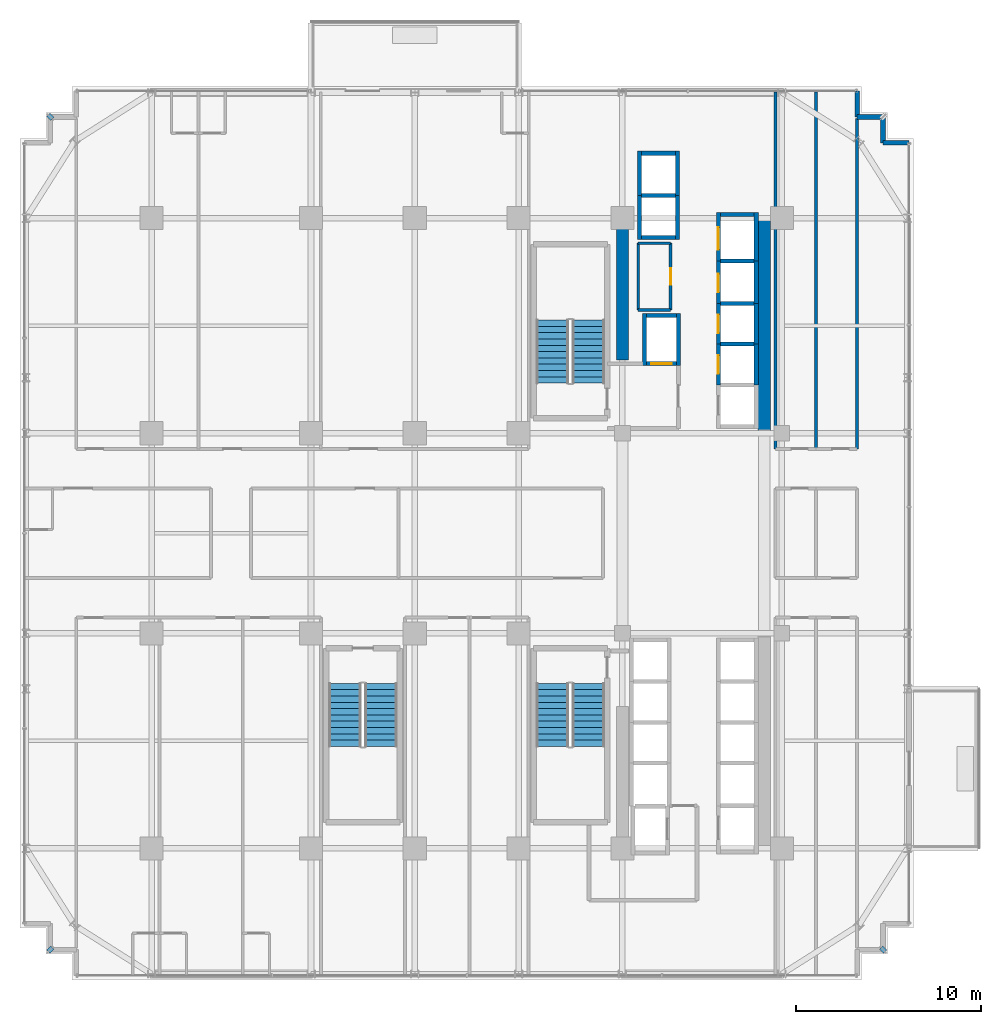
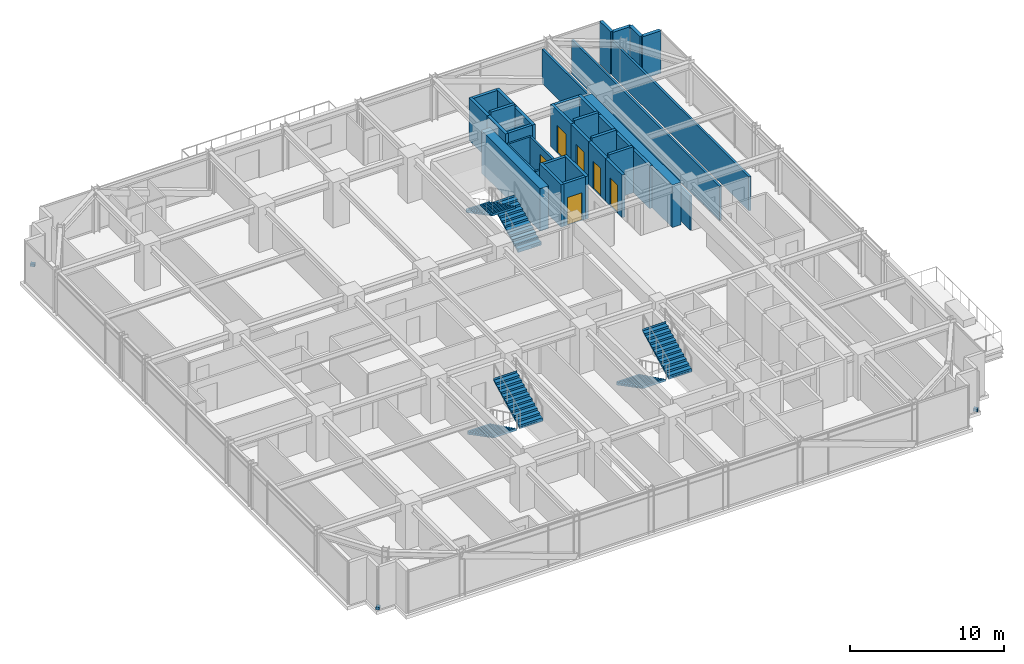
# One storey, part 36 of 41: 36 walls, 6 doors, 6 stair flights, 3 discrete accessories, 6 openings, 3 elements without a shape of their own.
"""IFC4 building model written with IfcOpenShell, lengths in metres."""

from ifc_helpers import new_model, si_unit, direction, frame, frame_2d, origin, origin_2d, place, context, subcontext, project, spatial, polyline, rectangle, outline, extrude, source, transform, mapped, material, layer, layer_set, type_object, element, fill, aggregate, save


model = new_model("IFC4")

# Units and contexts
model_context = context("Model", 3, precision=1e-05, world=origin(), true_north=direction((0.0, 1.0)))
body_context = subcontext(model_context, "Body", "Model", "MODEL_VIEW")
ifc_project = project(units=[si_unit("LENGTHUNIT", "METRE"), si_unit("AREAUNIT", "SQUARE_METRE"), si_unit("VOLUMEUNIT", "CUBIC_METRE"), si_unit("PLANEANGLEUNIT", "RADIAN"), si_unit("MASSUNIT", "GRAM", prefix="KILO")], contexts=[model_context])

# Site, building, storey
site_placement = place(None, origin())
site = spatial("IfcSite", under=ifc_project, at=site_placement, CompositionType="ELEMENT")
building_placement = place(site_placement, origin())
building = spatial("IfcBuilding", under=site, at=building_placement, Name="Nahalor Promenade Grand Hotel", CompositionType="ELEMENT")
storey_placement = place(building_placement, frame((0.0, 0.0, 113.85009765625)))
storey = spatial("IfcBuildingStorey", under=building, at=storey_placement, Name="L28", CompositionType="ELEMENT", Elevation=113.85009765625)

# Walls
ifc_material_1 = material(Name="Concrete B-60 (C50/60)", Category="concrete")
ifc_layer_1 = layer(ifc_material_1, 0.64990234375)
ifc_layer_set_1 = layer_set([ifc_layer_1], Name="Concrete B-60 (C50/60)")
wall_type_1 = type_object("IfcWallType", Name="Wall-CoreShear-650", PredefinedType="SHEAR", material=ifc_layer_set_1)
shared_shape_1 = source(origin(), body_context, "Body", "SweptSolid", [
    extrude(rectangle(XDim=7.64990234375, YDim=0.64990234375, at=frame_2d((3.824951171875, 0.0))), origin(), (0.0, 0.0, 1.0), 3.3798828125),
])
wall_1_placement = place(storey_placement, frame((8.39990234375, 9.35009765625, 0.0), z_axis=(0.0, 0.0, 1.0), x_axis=(0.0, 1.0, 0.0)))
element("IfcWall", 1, at=wall_1_placement, inside=storey, type_object=wall_type_1, Name="CWALL-L28-NW", PredefinedType="SHEAR", context=body_context, shape_type="MappedRepresentation", body=[
    mapped(shared_shape_1, transform((0.0, 0.0, 0.0), scale=1.0)),
])
shared_shape_2 = source(origin(), body_context, "Body", "SweptSolid", [
    extrude(rectangle(XDim=11.60009765625, YDim=0.64990234375, at=frame_2d((5.800048828125, 0.0))), origin(), (0.0, 0.0, 1.0), 3.3798828125),
])
wall_2_placement = place(storey_placement, frame((16.050048828125, 5.39990234375, 0.0), z_axis=(0.0, 0.0, 1.0), x_axis=(0.0, 1.0, 0.0)))
element("IfcWall", 2, at=wall_2_placement, inside=storey, type_object=wall_type_1, Name="CWALL-L28-NE", PredefinedType="SHEAR", context=body_context, shape_type="MappedRepresentation", body=[
    mapped(shared_shape_2, transform((0.0, 0.0, 0.0), scale=1.0)),
])
ifc_material_2 = material(Name="Concrete B-50 (C40/50)", Category="concrete")
ifc_layer_2 = layer(ifc_material_2, 0.219970703125)
ifc_layer_set_2 = layer_set([ifc_layer_2], Name="Concrete B-50 (C40/50)")
wall_type_2 = type_object("IfcWallType", Name="Wall-LiftShaft-220", PredefinedType="SHEAR", material=ifc_layer_set_2)
shared_shape_3 = source(origin(), body_context, "Body", "SweptSolid", [
    extrude(rectangle(XDim=1.820068359375, YDim=0.219970703125, at=frame_2d((0.91015625, 0.0))), origin(), (0.0, 0.0, 1.0), 3.64990234375),
])
for number, where, z_axis, x_axis, name in (
    (3, (13.68994140625, 10.199951171875, 0.0), (0.0, 0.0, 1.0), (1.0, 0.0, 0.0), "L28 Lift PL2 Hoistway Wall N"),
    (4, (13.68994140625, 12.39990234375, 0.0), (0.0, 0.0, 1.0), (1.0, 0.0, 0.0), "L28 Lift PL3 Hoistway Wall N"),
    (5, (13.68994140625, 14.699951171875, 0.0), (0.0, 0.0, 1.0), (1.0, 0.0, 0.0), "L28 Lift PL4 Hoistway Wall N"),
    (6, (9.43994140625, 18.22509765625, 0.0), (0.0, 0.0, 1.0), (1.0, 0.0, 0.0), "L28 Lift OB1 Hoistway Wall N"),
):
    element("IfcWall", number, at=place(storey_placement, frame(where, z_axis=z_axis, x_axis=x_axis)), inside=storey, type_object=wall_type_2, Name=name, PredefinedType="SHEAR", context=body_context, shape_type="MappedRepresentation", body=[
        mapped(shared_shape_3, transform((0.0, 0.0, 0.0), scale=1.0)),
    ])
shared_shape_4 = source(origin(), body_context, "Body", "SweptSolid", [
    extrude(rectangle(XDim=1.820068359375, YDim=0.219970703125, at=frame_2d((0.91015625, 0.0))), origin(), (0.0, 0.0, 1.0), 3.3798828125),
])
for number, where, z_axis, x_axis, name in (
    (7, (9.43994140625, 15.949951171875, 0.0), (0.0, 0.0, 1.0), (1.0, 0.0, 0.0), "L28 Lift OB1 Hoistway Wall S"),
    (8, (9.43994140625, 20.5, 0.0), (0.0, 0.0, 1.0), (1.0, 0.0, 0.0), "L28 Lift OB2 Hoistway Wall N"),
    (9, (13.68994140625, 17.199951171875, 0.0), (0.0, 0.0, 1.0), (1.0, 0.0, 0.0), "L28 Lift SV1 Hoistway Wall N"),
):
    element("IfcWall", number, at=place(storey_placement, frame(where, z_axis=z_axis, x_axis=x_axis)), inside=storey, type_object=wall_type_2, Name=name, PredefinedType="SHEAR", context=body_context, shape_type="MappedRepresentation", body=[
        mapped(shared_shape_4, transform((0.0, 0.0, 0.0), scale=1.0)),
    ])

# Wall, opening, door
shared_shape_5 = source(origin(), body_context, "Body", "SweptSolid", [
    extrude(rectangle(XDim=2.199951171875, YDim=0.219970703125, at=frame_2d((1.10009765625, 0.0))), origin(), (0.0, 0.0, 1.0), 3.3798828125),
])
wall_3_placement = place(storey_placement, frame((13.580078125, 8.0, 0.0), z_axis=(0.0, 0.0, 1.0), x_axis=(0.0, 1.0, 0.0)))
wall_3 = element("IfcWall", 10, at=wall_3_placement, inside=storey, type_object=wall_type_2, Name="L28 Lift PL2 Hoistway Wall W", PredefinedType="SHEAR", context=body_context, shape_type="MappedRepresentation", body=[
    mapped(shared_shape_5, transform((0.0, 0.0, 0.0), scale=1.0)),
])
opening_1_placement = place(wall_3_placement, frame((0.60009765625, 0.0, 0.0)))
opening_1 = element("IfcOpeningElement", 11, at=opening_1_placement, cuts=wall_3, Name="Opening LD-01", PredefinedType="OPENING", context=body_context, shape_type="SweptSolid", body=[
    extrude(rectangle(XDim=1.0, YDim=2.199951171875, at=frame_2d((0.5, 1.10009765625))), frame((0.0, 0.119873046875, 0.0), z_axis=(0.0, -1.0, 0.0), x_axis=(1.0, 0.0, 0.0)), (0.0, 0.0, 1.0), 0.239990234375),
])
ifc_material_3 = material(Name="Steel S355JR", Category="steel")
door_type_1 = type_object("IfcDoorType", Name="Door-LiftLanding-1000", OperationType="DOUBLE_DOOR_SLIDING", PredefinedType="DOOR", material=ifc_material_3)
shared_shape_6 = source(origin(), body_context, "Body", "SweptSolid", [
    extrude(rectangle(XDim=1.0, YDim=2.199951171875, at=frame_2d((0.5, 1.10009765625))), frame((0.0, 0.02490234375, 0.0), z_axis=(0.0, -1.0, 0.0), x_axis=(1.0, 0.0, 0.0)), (0.0, 0.0, 1.0), 0.050048828125),
])
door_1_placement = place(opening_1_placement, origin())
door_1 = element("IfcDoor", 12, at=door_1_placement, inside=storey, type_object=door_type_1, Name="DR-LIFT-PL2-L28", OperationType="DOUBLE_DOOR_SLIDING", OverallHeight=2.199951171875, OverallWidth=1.0, PredefinedType="DOOR", context=body_context, shape_type="MappedRepresentation", body=[
    mapped(shared_shape_6, transform((0.0, 0.0, 0.0), scale=1.0)),
])
fill(opening_1, door_1)

# Wall
wall_4_placement = place(storey_placement, frame((15.6201171875, 8.0, 0.0), z_axis=(0.0, 0.0, 1.0), x_axis=(0.0, 1.0, 0.0)))
element("IfcWall", 13, at=wall_4_placement, inside=storey, type_object=wall_type_2, Name="L28 Lift PL2 Hoistway Wall E", PredefinedType="SHEAR", context=body_context, shape_type="MappedRepresentation", body=[
    mapped(shared_shape_5, transform((0.0, 0.0, 0.0), scale=1.0)),
])

# Wall, opening, door
wall_5_placement = place(storey_placement, frame((13.580078125, 10.199951171875, 0.0), z_axis=(0.0, 0.0, 1.0), x_axis=(0.0, 1.0, 0.0)))
wall_5 = element("IfcWall", 14, at=wall_5_placement, inside=storey, type_object=wall_type_2, Name="L28 Lift PL3 Hoistway Wall W", PredefinedType="SHEAR", context=body_context, shape_type="MappedRepresentation", body=[
    mapped(shared_shape_5, transform((0.0, 0.0, 0.0), scale=1.0)),
])
opening_2_placement = place(wall_5_placement, frame((0.60009765625, 0.0, 0.0)))
opening_2 = element("IfcOpeningElement", 15, at=opening_2_placement, cuts=wall_5, Name="Opening LD-01", PredefinedType="OPENING", context=body_context, shape_type="SweptSolid", body=[
    extrude(rectangle(XDim=1.0, YDim=2.199951171875, at=frame_2d((0.5, 1.10009765625))), frame((0.0, 0.119873046875, 0.0), z_axis=(0.0, -1.0, 0.0), x_axis=(1.0, 0.0, 0.0)), (0.0, 0.0, 1.0), 0.239990234375),
])
door_2_placement = place(opening_2_placement, origin())
door_2 = element("IfcDoor", 16, at=door_2_placement, inside=storey, type_object=door_type_1, Name="DR-LIFT-PL3-L28", OperationType="DOUBLE_DOOR_SLIDING", OverallHeight=2.199951171875, OverallWidth=1.0, PredefinedType="DOOR", context=body_context, shape_type="MappedRepresentation", body=[
    mapped(shared_shape_6, transform((0.0, 0.0, 0.0), scale=1.0)),
])
fill(opening_2, door_2)

# Wall
wall_6_placement = place(storey_placement, frame((15.6201171875, 10.199951171875, 0.0), z_axis=(0.0, 0.0, 1.0), x_axis=(0.0, 1.0, 0.0)))
element("IfcWall", 17, at=wall_6_placement, inside=storey, type_object=wall_type_2, Name="L28 Lift PL3 Hoistway Wall E", PredefinedType="SHEAR", context=body_context, shape_type="MappedRepresentation", body=[
    mapped(shared_shape_5, transform((0.0, 0.0, 0.0), scale=1.0)),
])

# Wall, opening, door
shared_shape_7 = source(origin(), body_context, "Body", "SweptSolid", [
    extrude(rectangle(XDim=2.300048828125, YDim=0.219970703125, at=frame_2d((1.14990234375, 0.0))), origin(), (0.0, 0.0, 1.0), 3.3798828125),
])
wall_7_placement = place(storey_placement, frame((13.580078125, 12.39990234375, 0.0), z_axis=(0.0, 0.0, 1.0), x_axis=(0.0, 1.0, 0.0)))
wall_7 = element("IfcWall", 18, at=wall_7_placement, inside=storey, type_object=wall_type_2, Name="L28 Lift PL4 Hoistway Wall W", PredefinedType="SHEAR", context=body_context, shape_type="MappedRepresentation", body=[
    mapped(shared_shape_7, transform((0.0, 0.0, 0.0), scale=1.0)),
])
opening_3_placement = place(wall_7_placement, frame((0.60009765625, 0.0, 0.0)))
opening_3 = element("IfcOpeningElement", 19, at=opening_3_placement, cuts=wall_7, Name="Opening LD-01", PredefinedType="OPENING", context=body_context, shape_type="SweptSolid", body=[
    extrude(rectangle(XDim=1.0, YDim=2.199951171875, at=frame_2d((0.5, 1.10009765625))), frame((0.0, 0.119873046875, 0.0), z_axis=(0.0, -1.0, 0.0), x_axis=(1.0, 0.0, 0.0)), (0.0, 0.0, 1.0), 0.239990234375),
])
door_3_placement = place(opening_3_placement, origin())
door_3 = element("IfcDoor", 20, at=door_3_placement, inside=storey, type_object=door_type_1, Name="DR-LIFT-PL4-L28", OperationType="DOUBLE_DOOR_SLIDING", OverallHeight=2.199951171875, OverallWidth=1.0, PredefinedType="DOOR", context=body_context, shape_type="MappedRepresentation", body=[
    mapped(shared_shape_6, transform((0.0, 0.0, 0.0), scale=1.0)),
])
fill(opening_3, door_3)

# Walls
wall_8_placement = place(storey_placement, frame((15.6201171875, 12.39990234375, 0.0), z_axis=(0.0, 0.0, 1.0), x_axis=(0.0, 1.0, 0.0)))
element("IfcWall", 21, at=wall_8_placement, inside=storey, type_object=wall_type_2, Name="L28 Lift PL4 Hoistway Wall E", PredefinedType="SHEAR", context=body_context, shape_type="MappedRepresentation", body=[
    mapped(shared_shape_7, transform((0.0, 0.0, 0.0), scale=1.0)),
])
shared_shape_8 = source(origin(), body_context, "Body", "SweptSolid", [
    extrude(rectangle(XDim=2.385009765625, YDim=0.219970703125, at=frame_2d((1.1923828125, 0.0))), origin(), (0.0, 0.0, 1.0), 3.3798828125),
])
for number, where, z_axis, x_axis, name in (
    (22, (9.330078125, 15.840087890625, 0.0), (0.0, 0.0, 1.0), (0.0, 1.0, 0.0), "L28 Lift OB1 Hoistway Wall W"),
    (23, (11.3701171875, 15.840087890625, 0.0), (0.0, 0.0, 1.0), (0.0, 1.0, 0.0), "L28 Lift OB1 Hoistway Wall E"),
    (24, (9.330078125, 18.22509765625, 0.0), (0.0, 0.0, 1.0), (0.0, 1.0, 0.0), "L28 Lift OB2 Hoistway Wall W"),
    (25, (11.3701171875, 18.22509765625, 0.0), (0.0, 0.0, 1.0), (0.0, 1.0, 0.0), "L28 Lift OB2 Hoistway Wall E"),
):
    element("IfcWall", number, at=place(storey_placement, frame(where, z_axis=z_axis, x_axis=x_axis)), inside=storey, type_object=wall_type_2, Name=name, PredefinedType="SHEAR", context=body_context, shape_type="MappedRepresentation", body=[
        mapped(shared_shape_8, transform((0.0, 0.0, 0.0), scale=1.0)),
    ])
shared_shape_9 = source(origin(), body_context, "Body", "SweptSolid", [
    extrude(rectangle(XDim=2.820068359375, YDim=0.219970703125, at=frame_2d((1.41015625, 0.0))), origin(), (0.0, 0.0, 1.0), 3.3798828125),
])
for number, where, z_axis, x_axis, name in (
    (26, (9.580078125, 9.0400390625, 0.0), (0.0, 0.0, 1.0), (0.0, 1.0, 0.0), "L28 Lift FL1 Hoistway Wall W"),
    (27, (11.419921875, 9.0400390625, 0.0), (0.0, 0.0, 1.0), (0.0, 1.0, 0.0), "L28 Lift FL1 Hoistway Wall E"),
):
    element("IfcWall", number, at=place(storey_placement, frame(where, z_axis=z_axis, x_axis=x_axis)), inside=storey, type_object=wall_type_2, Name=name, PredefinedType="SHEAR", context=body_context, shape_type="MappedRepresentation", body=[
        mapped(shared_shape_9, transform((0.0, 0.0, 0.0), scale=1.0)),
    ])

# Wall, opening, door
shared_shape_10 = source(origin(), body_context, "Body", "SweptSolid", [
    extrude(rectangle(XDim=1.6201171875, YDim=0.219970703125, at=frame_2d((0.81005859375, 0.0))), origin(), (0.0, 0.0, 1.0), 3.3798828125),
])
wall_9_placement = place(storey_placement, frame((9.68994140625, 9.14990234375, 0.0), z_axis=(0.0, 0.0, 1.0), x_axis=(1.0, 0.0, 0.0)))
wall_9 = element("IfcWall", 28, at=wall_9_placement, inside=storey, type_object=wall_type_2, Name="L28 Lift FL1 Hoistway Wall S", PredefinedType="SHEAR", context=body_context, shape_type="MappedRepresentation", body=[
    mapped(shared_shape_10, transform((0.0, 0.0, 0.0), scale=1.0)),
])
opening_4_placement = place(wall_9_placement, frame((0.260009765625, 0.0, 0.0)))
opening_4 = element("IfcOpeningElement", 29, at=opening_4_placement, cuts=wall_9, Name="Opening LD-02", PredefinedType="OPENING", context=body_context, shape_type="SweptSolid", body=[
    extrude(rectangle(XDim=1.10009765625, YDim=2.199951171875, at=frame_2d((0.550048828125, 1.10009765625))), frame((0.0, 0.119873046875, 0.0), z_axis=(0.0, -1.0, 0.0), x_axis=(1.0, 0.0, 0.0)), (0.0, 0.0, 1.0), 0.239990234375),
])
door_type_2 = type_object("IfcDoorType", Name="Door-LiftFF-1100", OperationType="DOUBLE_DOOR_SLIDING", PredefinedType="DOOR", material=ifc_material_3)
shared_shape_11 = source(origin(), body_context, "Body", "SweptSolid", [
    extrude(rectangle(XDim=1.10009765625, YDim=2.199951171875, at=frame_2d((0.550048828125, 1.10009765625))), frame((0.0, 0.02490234375, 0.0), z_axis=(0.0, -1.0, 0.0), x_axis=(1.0, 0.0, 0.0)), (0.0, 0.0, 1.0), 0.050048828125),
])
door_4_placement = place(opening_4_placement, frame((1.10009765625, 0.0, 0.0), z_axis=(0.0, 0.0, 1.0), x_axis=(-1.0, 0.0, 0.0)))
door_4 = element("IfcDoor", 30, at=door_4_placement, inside=storey, type_object=door_type_2, Name="DR-LIFT-FL1-L28", OperationType="DOUBLE_DOOR_SLIDING", OverallHeight=2.199951171875, OverallWidth=1.10009765625, PredefinedType="DOOR", context=body_context, shape_type="MappedRepresentation", body=[
    mapped(shared_shape_11, transform((0.0, 0.0, 0.0), scale=1.0)),
])
fill(opening_4, door_4)

# Wall
wall_10_placement = place(storey_placement, frame((9.68994140625, 11.75, 0.0), z_axis=(0.0, 0.0, 1.0), x_axis=(1.0, 0.0, 0.0)))
element("IfcWall", 31, at=wall_10_placement, inside=storey, type_object=wall_type_2, Name="L28 Lift FL1 Hoistway Wall N", PredefinedType="SHEAR", context=body_context, shape_type="MappedRepresentation", body=[
    mapped(shared_shape_10, transform((0.0, 0.0, 0.0), scale=1.0)),
])

# Wall, opening, door
shared_shape_12 = source(origin(), body_context, "Body", "SweptSolid", [
    extrude(rectangle(XDim=2.610107421875, YDim=0.219970703125, at=frame_2d((1.30517578125, 0.0))), origin(), (0.0, 0.0, 1.0), 3.3798828125),
])
wall_11_placement = place(storey_placement, frame((13.580078125, 14.699951171875, 0.0), z_axis=(0.0, 0.0, 1.0), x_axis=(0.0, 1.0, 0.0)))
wall_11 = element("IfcWall", 32, at=wall_11_placement, inside=storey, type_object=wall_type_2, Name="L28 Lift SV1 Hoistway Wall W", PredefinedType="SHEAR", context=body_context, shape_type="MappedRepresentation", body=[
    mapped(shared_shape_12, transform((0.0, 0.0, 0.0), scale=1.0)),
])
opening_5_placement = place(wall_11_placement, frame((0.60009765625, 0.0, 0.0)))
opening_5 = element("IfcOpeningElement", 33, at=opening_5_placement, cuts=wall_11, Name="Opening LD-03", PredefinedType="OPENING", context=body_context, shape_type="SweptSolid", body=[
    extrude(rectangle(XDim=1.199951171875, YDim=2.199951171875, at=frame_2d((0.60009765625, 1.10009765625))), frame((0.0, 0.119873046875, 0.0), z_axis=(0.0, -1.0, 0.0), x_axis=(1.0, 0.0, 0.0)), (0.0, 0.0, 1.0), 0.239990234375),
])
door_type_3 = type_object("IfcDoorType", Name="Door-LiftService-1200", OperationType="DOUBLE_DOOR_SLIDING", PredefinedType="DOOR", material=ifc_material_3)
shared_shape_13 = source(origin(), body_context, "Body", "SweptSolid", [
    extrude(rectangle(XDim=1.199951171875, YDim=2.199951171875, at=frame_2d((0.60009765625, 1.10009765625))), frame((0.0, 0.02490234375, 0.0), z_axis=(0.0, -1.0, 0.0), x_axis=(1.0, 0.0, 0.0)), (0.0, 0.0, 1.0), 0.050048828125),
])
door_5_placement = place(opening_5_placement, origin())
door_5 = element("IfcDoor", 34, at=door_5_placement, inside=storey, type_object=door_type_3, Name="DR-LIFT-SV1-L28", OperationType="DOUBLE_DOOR_SLIDING", OverallHeight=2.199951171875, OverallWidth=1.199951171875, PredefinedType="DOOR", context=body_context, shape_type="MappedRepresentation", body=[
    mapped(shared_shape_13, transform((0.0, 0.0, 0.0), scale=1.0)),
])
fill(opening_5, door_5)

# Walls
wall_12_placement = place(storey_placement, frame((15.6201171875, 14.699951171875, 0.0), z_axis=(0.0, 0.0, 1.0), x_axis=(0.0, 1.0, 0.0)))
element("IfcWall", 35, at=wall_12_placement, inside=storey, type_object=wall_type_2, Name="L28 Lift SV1 Hoistway Wall E", PredefinedType="SHEAR", context=body_context, shape_type="MappedRepresentation", body=[
    mapped(shared_shape_12, transform((0.0, 0.0, 0.0), scale=1.0)),
])
ifc_material_4 = material(Name="Concrete B-40 (C32/40)", Category="concrete")
ifc_layer_3 = layer(ifc_material_4, 0.25)
ifc_layer_set_3 = layer_set([ifc_layer_3], Name="Concrete B-40 (C32/40)")
wall_type_3 = type_object("IfcWallType", Name="Wall-BronzePier-250", PredefinedType="STANDARD", material=ifc_layer_set_3)
shared_shape_14 = source(origin(), body_context, "Body", "SweptSolid", [
    extrude(rectangle(XDim=1.400146484375, YDim=0.25, at=frame_2d((0.7001953125, 0.0))), origin(), (0.0, 0.0, 1.0), 3.3798828125),
])
for number, where, z_axis, x_axis, name in (
    (36, (22.4599609375, 21.06005859375, 0.0), (0.0, 0.0, 1.0), (1.0, 0.0, 0.0), "W-L28-SR-05"),
    (37, (21.06005859375, 22.4599609375, 0.0), (0.0, 0.0, 1.0), (0.0, 1.0, 0.0), "W-L28-SR-08"),
):
    element("IfcWall", number, at=place(storey_placement, frame(where, z_axis=z_axis, x_axis=x_axis)), inside=storey, type_object=wall_type_3, Name=name, PredefinedType="STANDARD", context=body_context, shape_type="MappedRepresentation", body=[
        mapped(shared_shape_14, transform((0.0, 0.0, 0.0), scale=1.0)),
    ])
shared_shape_15 = source(origin(), body_context, "Body", "SweptSolid", [
    extrude(rectangle(XDim=1.39990234375, YDim=0.25, at=frame_2d((0.699951171875, 0.0))), origin(), (0.0, 0.0, 1.0), 3.3798828125),
])
for number, where, z_axis, x_axis, name in (
    (38, (22.4599609375, 21.06005859375, 0.0), (0.0, 0.0, 1.0), (0.0, 1.0, 0.0), "W-L28-SR-06"),
    (39, (21.06005859375, 22.4599609375, 0.0), (0.0, 0.0, 1.0), (1.0, 0.0, 0.0), "W-L28-SR-07"),
):
    element("IfcWall", number, at=place(storey_placement, frame(where, z_axis=z_axis, x_axis=x_axis)), inside=storey, type_object=wall_type_3, Name=name, PredefinedType="STANDARD", context=body_context, shape_type="MappedRepresentation", body=[
        mapped(shared_shape_15, transform((0.0, 0.0, 0.0), scale=1.0)),
    ])
ifc_material_5 = material(Name="Acoustic Mineral Gypsum", Category="gypsum")
ifc_layer_4 = layer(ifc_material_5, 0.14990234375)
ifc_layer_set_4 = layer_set([ifc_layer_4], Name="Acoustic Mineral Gypsum")
wall_type_4 = type_object("IfcWallType", Name="Wall-PartService-150", PredefinedType="PARTITIONING", material=ifc_layer_set_4)
shared_shape_16 = source(origin(), body_context, "Body", "SweptSolid", [
    extrude(rectangle(XDim=1.75, YDim=0.14990234375, at=frame_2d((0.875, 0.0))), origin(), (0.0, 0.0, 1.0), 2.719970703125),
])
for number, where, z_axis, x_axis, name in (
    (40, (9.25, 12.050048828125, 0.0), (0.0, 0.0, 1.0), (1.0, 0.0, 0.0), "W-L28-CK1A-S"),
    (41, (9.25, 15.64990234375, 0.0), (0.0, 0.0, 1.0), (1.0, 0.0, 0.0), "W-L28-CK1A-N"),
):
    element("IfcWall", number, at=place(storey_placement, frame(where, z_axis=z_axis, x_axis=x_axis)), inside=storey, type_object=wall_type_4, Name=name, PredefinedType="PARTITIONING", context=body_context, shape_type="MappedRepresentation", body=[
        mapped(shared_shape_16, transform((0.0, 0.0, 0.0), scale=1.0)),
    ])
ifc_layer_5 = layer(ifc_material_5, 0.159912109375)
ifc_layer_set_5 = layer_set([ifc_layer_5], Name="Acoustic Mineral Gypsum")
wall_type_5 = type_object("IfcWallType", Name="Wall-PartCorridor-160", PredefinedType="PARTITIONING", material=ifc_layer_set_5)
shared_shape_17 = source(origin(), body_context, "Body", "SweptSolid", [
    extrude(rectangle(XDim=19.25, YDim=0.159912109375, at=frame_2d((9.625, 0.0))), origin(), (0.0, 0.0, 1.0), 2.719970703125),
])
for number, where, z_axis, x_axis, name in (
    (42, (16.64990234375, 4.550048828125, 0.0), (0.0, 0.0, 1.0), (0.0, 1.0, 0.0), "W-L28-ENE1-W"),
    (43, (18.85498046875, 4.550048828125, 0.0), (0.0, 0.0, 1.0), (0.0, 1.0, 0.0), "W-L28-ENE1-E"),
):
    element("IfcWall", number, at=place(storey_placement, frame(where, z_axis=z_axis, x_axis=x_axis)), inside=storey, type_object=wall_type_5, Name=name, PredefinedType="PARTITIONING", context=body_context, shape_type="MappedRepresentation", body=[
        mapped(shared_shape_17, transform((0.0, 0.0, 0.0), scale=1.0)),
    ])
shared_shape_18 = source(origin(), body_context, "Body", "SweptSolid", [
    extrude(rectangle(XDim=17.829833984375, YDim=0.159912109375, at=frame_2d((8.9150390625, 0.0))), origin(), (0.0, 0.0, 1.0), 2.719970703125),
])
wall_13_placement = place(storey_placement, frame((21.06005859375, 4.550048828125, 0.0), z_axis=(0.0, 0.0, 1.0), x_axis=(0.0, 1.0, 0.0)))
element("IfcWall", 44, at=wall_13_placement, inside=storey, type_object=wall_type_5, Name="W-L28-ENE2-E", PredefinedType="PARTITIONING", context=body_context, shape_type="MappedRepresentation", body=[
    mapped(shared_shape_18, transform((0.0, 0.0, 0.0), scale=1.0)),
])
shared_shape_19 = source(origin(), body_context, "Body", "SweptSolid", [
    extrude(rectangle(XDim=3.599853515625, YDim=0.14990234375, at=frame_2d((1.7998046875, 0.0))), origin(), (0.0, 0.0, 1.0), 2.719970703125),
])
wall_14_placement = place(storey_placement, frame((9.25, 12.050048828125, 0.0), z_axis=(0.0, 0.0, 1.0), x_axis=(0.0, 1.0, 0.0)))
element("IfcWall", 45, at=wall_14_placement, inside=storey, type_object=wall_type_4, Name="W-L28-CK1A-W", PredefinedType="PARTITIONING", context=body_context, shape_type="MappedRepresentation", body=[
    mapped(shared_shape_19, transform((0.0, 0.0, 0.0), scale=1.0)),
])

# Wall, opening, door
wall_15_placement = place(storey_placement, frame((11.0, 12.050048828125, 0.0), z_axis=(0.0, 0.0, 1.0), x_axis=(0.0, 1.0, 0.0)))
wall_15 = element("IfcWall", 46, at=wall_15_placement, inside=storey, type_object=wall_type_4, Name="W-L28-CK1A-E", PredefinedType="PARTITIONING", context=body_context, shape_type="MappedRepresentation", body=[
    mapped(shared_shape_19, transform((0.0, 0.0, 0.0), scale=1.0)),
])
opening_6_placement = place(wall_15_placement, frame((1.360107421875, 0.0, 0.0)))
opening_6 = element("IfcOpeningElement", 47, at=opening_6_placement, cuts=wall_15, Name="Opening D-03", PredefinedType="OPENING", context=body_context, shape_type="SweptSolid", body=[
    extrude(rectangle(XDim=0.8798828125, YDim=2.10009765625, at=frame_2d((0.43994140625, 1.050048828125))), frame((0.0, 0.0849609375, 0.0), z_axis=(0.0, -1.0, 0.0), x_axis=(1.0, 0.0, 0.0)), (0.0, 0.0, 1.0), 0.169921875),
])
ifc_material_6 = material(Name="Fire-Rated Timber Composite", Category="wood")
door_type_4 = type_object("IfcDoorType", Name="Door-BathSwing-880", OperationType="NOTDEFINED", PredefinedType="DOOR", material=ifc_material_6)
shared_shape_20 = source(origin(), body_context, "Body", "SweptSolid", [
    extrude(rectangle(XDim=0.8798828125, YDim=2.10009765625, at=frame_2d((0.43994140625, 1.050048828125))), frame((0.0, 0.02490234375, 0.0), z_axis=(0.0, -1.0, 0.0), x_axis=(1.0, 0.0, 0.0)), (0.0, 0.0, 1.0), 0.050048828125),
])
door_6_placement = place(opening_6_placement, origin())
door_6 = element("IfcDoor", 48, at=door_6_placement, inside=storey, type_object=door_type_4, Name="DR-L28-CK1A", OperationType="SINGLE_SWING_RIGHT", OverallHeight=2.10009765625, OverallWidth=0.8798828125, PredefinedType="DOOR", context=body_context, shape_type="MappedRepresentation", body=[
    mapped(shared_shape_20, transform((0.0, 0.0, 0.0), scale=1.0)),
])
fill(opening_6, door_6)

# Stair, stair flights
stair_type_1 = type_object("IfcStairType", Name="Stair-ST1", PredefinedType="HALF_TURN_STAIR", material=ifc_material_2)
stair_1_placement = place(storey_placement, origin())
stair_1 = element("IfcStair", 49, at=stair_1_placement, inside=storey, type_object=stair_type_1, Name="L28 ST1", PredefinedType="HALF_TURN_STAIR")
ifc_layer_6 = layer(ifc_material_2, 0.179931640625)
ifc_layer_set_6 = layer_set([ifc_layer_6], Name="Concrete B-50 (C40/50)")
stair_flight_type_1 = type_object("IfcStairFlightType", Name="Flight-ST1", PredefinedType="STRAIGHT", material=ifc_layer_set_6)
shared_shape_21 = source(origin(), body_context, "Body", "SweptSolid", [
    extrude(outline(polyline([(-0.00390625, -0.1201171875), (-0.00390625, 0.0), (0.0, 0.0), (0.0, 0.166015625), (0.340087890625, 0.166015625), (0.340087890625, 0.331787109375), (0.679931640625, 0.331787109375), (0.679931640625, 0.497802734375), (1.02001953125, 0.497802734375), (1.02001953125, 0.66357421875), (1.360107421875, 0.66357421875), (1.360107421875, 0.82958984375), (1.699951171875, 0.82958984375), (1.699951171875, 0.995361328125), (2.0400390625, 0.995361328125), (2.0400390625, 1.161376953125), (2.3798828125, 1.161376953125), (2.3798828125, 1.327392578125), (2.719970703125, 1.327392578125), (2.719970703125, 1.4931640625), (3.06005859375, 1.4931640625), (3.06005859375, 1.6591796875), (3.39990234375, 1.6591796875), (3.39990234375, 1.824951171875), (3.404052734375, 1.824951171875), (3.404052734375, 1.64501953125), (0.02001953125, -0.1201171875), (-0.00390625, -0.1201171875)])), frame((0.0, 0.875, 0.0), z_axis=(0.0, -1.0, 0.0), x_axis=(1.0, 0.0, 0.0)), (0.0, 0.0, 1.0), 1.75),
])
stair_flight_1_placement = place(storey_placement, frame((6.574951171875, 8.10009765625, 0.0), z_axis=(0.0, 0.0, 1.0), x_axis=(0.0, 1.0, 0.0)))
stair_flight_1 = element("IfcStairFlight", 50, at=stair_flight_1_placement, type_object=stair_flight_type_1, Name="ST1 flight 1", NumberOfRisers=11, NumberOfTreads=10, PredefinedType="STRAIGHT", RiserHeight=0.165909091, TreadLength=0.34, context=body_context, shape_type="MappedRepresentation", body=[
    mapped(shared_shape_21, transform((0.0, 0.0, 0.0), scale=1.0)),
])
stair_flight_2_placement = place(storey_placement, frame((4.625, 11.5, 1.824951171875), z_axis=(0.0, 0.0, 1.0), x_axis=(0.0, -1.0, 0.0)))
stair_flight_2 = element("IfcStairFlight", 51, at=stair_flight_2_placement, type_object=stair_flight_type_1, Name="ST1 flight 2", NumberOfRisers=11, NumberOfTreads=10, PredefinedType="STRAIGHT", RiserHeight=0.165909091, TreadLength=0.34, context=body_context, shape_type="MappedRepresentation", body=[
    mapped(shared_shape_21, transform((0.0, 0.0, 0.0), scale=1.0)),
])
aggregate(stair_1, [stair_flight_1, stair_flight_2])

stair_type_2 = type_object("IfcStairType", Name="Stair-ST2", PredefinedType="HALF_TURN_STAIR", material=ifc_material_2)
stair_2_placement = place(storey_placement, origin())
stair_2 = element("IfcStair", 52, at=stair_2_placement, inside=storey, type_object=stair_type_2, Name="L28 ST2", PredefinedType="HALF_TURN_STAIR")
ifc_layer_7 = layer(ifc_material_2, 0.18994140625)
ifc_layer_set_7 = layer_set([ifc_layer_7], Name="Concrete B-50 (C40/50)")
stair_flight_type_2 = type_object("IfcStairFlightType", Name="Flight-ST2", PredefinedType="STRAIGHT", material=ifc_layer_set_7)
shared_shape_22 = source(origin(), body_context, "Body", "SweptSolid", [
    extrude(outline(polyline([(-0.00390625, -0.1201171875), (-0.00390625, 0.0), (0.0, 0.0), (0.0, 0.166015625), (0.340087890625, 0.166015625), (0.340087890625, 0.331787109375), (0.679931640625, 0.331787109375), (0.679931640625, 0.497802734375), (1.02001953125, 0.497802734375), (1.02001953125, 0.66357421875), (1.360107421875, 0.66357421875), (1.360107421875, 0.82958984375), (1.699951171875, 0.82958984375), (1.699951171875, 0.995361328125), (2.0400390625, 0.995361328125), (2.0400390625, 1.161376953125), (2.3798828125, 1.161376953125), (2.3798828125, 1.327392578125), (2.719970703125, 1.327392578125), (2.719970703125, 1.4931640625), (3.06005859375, 1.4931640625), (3.06005859375, 1.6591796875), (3.39990234375, 1.6591796875), (3.39990234375, 1.824951171875), (3.404052734375, 1.824951171875), (3.404052734375, 1.64501953125), (0.02001953125, -0.1201171875), (-0.00390625, -0.1201171875)])), frame((0.0, 0.875, 0.0), z_axis=(0.0, -1.0, 0.0), x_axis=(1.0, 0.0, 0.0)), (0.0, 0.0, 1.0), 1.75),
])
stair_flight_3_placement = place(storey_placement, frame((4.625, -8.10009765625, 0.0), z_axis=(0.0, 0.0, 1.0), x_axis=(0.0, -1.0, 0.0)))
stair_flight_3 = element("IfcStairFlight", 53, at=stair_flight_3_placement, type_object=stair_flight_type_2, Name="ST2 flight 1", NumberOfRisers=11, NumberOfTreads=10, PredefinedType="STRAIGHT", RiserHeight=0.165909091, TreadLength=0.34, context=body_context, shape_type="MappedRepresentation", body=[
    mapped(shared_shape_22, transform((0.0, 0.0, 0.0), scale=1.0)),
])
stair_flight_4_placement = place(storey_placement, frame((6.574951171875, -11.5, 1.824951171875), z_axis=(0.0, 0.0, 1.0), x_axis=(0.0, 1.0, 0.0)))
stair_flight_4 = element("IfcStairFlight", 54, at=stair_flight_4_placement, type_object=stair_flight_type_2, Name="ST2 flight 2", NumberOfRisers=11, NumberOfTreads=10, PredefinedType="STRAIGHT", RiserHeight=0.165909091, TreadLength=0.34, context=body_context, shape_type="MappedRepresentation", body=[
    mapped(shared_shape_22, transform((0.0, 0.0, 0.0), scale=1.0)),
])
aggregate(stair_2, [stair_flight_3, stair_flight_4])

stair_type_3 = type_object("IfcStairType", Name="Stair-ST3", PredefinedType="HALF_TURN_STAIR", material=ifc_material_2)
stair_3_placement = place(storey_placement, origin())
stair_3 = element("IfcStair", 55, at=stair_3_placement, inside=storey, type_object=stair_type_3, Name="L28 ST3", PredefinedType="HALF_TURN_STAIR")
ifc_layer_8 = layer(ifc_material_2, 0.199951171875)
ifc_layer_set_8 = layer_set([ifc_layer_8], Name="Concrete B-50 (C40/50)")
stair_flight_type_3 = type_object("IfcStairFlightType", Name="Flight-ST3", PredefinedType="STRAIGHT", material=ifc_layer_set_8)
shared_shape_23 = source(origin(), body_context, "Body", "SweptSolid", [
    extrude(outline(polyline([(-0.00390625, -0.1201171875), (-0.00390625, 0.0), (0.0, 0.0), (0.0, 0.166015625), (0.340087890625, 0.166015625), (0.340087890625, 0.331787109375), (0.679931640625, 0.331787109375), (0.679931640625, 0.497802734375), (1.02001953125, 0.497802734375), (1.02001953125, 0.66357421875), (1.360107421875, 0.66357421875), (1.360107421875, 0.82958984375), (1.699951171875, 0.82958984375), (1.699951171875, 0.995361328125), (2.0400390625, 0.995361328125), (2.0400390625, 1.161376953125), (2.3798828125, 1.161376953125), (2.3798828125, 1.327392578125), (2.719970703125, 1.327392578125), (2.719970703125, 1.4931640625), (3.06005859375, 1.4931640625), (3.06005859375, 1.6591796875), (3.39990234375, 1.6591796875), (3.39990234375, 1.824951171875), (3.404052734375, 1.824951171875), (3.404052734375, 1.64501953125), (0.02001953125, -0.1201171875), (-0.00390625, -0.1201171875)])), frame((0.0, 0.875, 0.0), z_axis=(0.0, -1.0, 0.0), x_axis=(1.0, 0.0, 0.0)), (0.0, 0.0, 1.0), 1.75),
])
stair_flight_5_placement = place(storey_placement, frame((-6.574951171875, -8.10009765625, 0.0), z_axis=(0.0, 0.0, 1.0), x_axis=(0.0, -1.0, 0.0)))
stair_flight_5 = element("IfcStairFlight", 56, at=stair_flight_5_placement, type_object=stair_flight_type_3, Name="ST3 flight 1", NumberOfRisers=11, NumberOfTreads=10, PredefinedType="STRAIGHT", RiserHeight=0.165909091, TreadLength=0.34, context=body_context, shape_type="MappedRepresentation", body=[
    mapped(shared_shape_23, transform((0.0, 0.0, 0.0), scale=1.0)),
])
stair_flight_6_placement = place(storey_placement, frame((-4.625, -11.5, 1.824951171875), z_axis=(0.0, 0.0, 1.0), x_axis=(0.0, 1.0, 0.0)))
stair_flight_6 = element("IfcStairFlight", 57, at=stair_flight_6_placement, type_object=stair_flight_type_3, Name="ST3 flight 2", NumberOfRisers=11, NumberOfTreads=10, PredefinedType="STRAIGHT", RiserHeight=0.165909091, TreadLength=0.34, context=body_context, shape_type="MappedRepresentation", body=[
    mapped(shared_shape_23, transform((0.0, 0.0, 0.0), scale=1.0)),
])
aggregate(stair_3, [stair_flight_5, stair_flight_6])

# Discrete accessories
discrete_accessory_type = type_object("IfcDiscreteAccessoryType", Name="Bracket-FacadeCleat-Bronze", PredefinedType="BRACKET", material=ifc_material_3)
shared_shape_24 = source(origin(), body_context, "Body", "SweptSolid", [
    extrude(rectangle(XDim=0.300048828125, YDim=0.239990234375, at=origin_2d()), origin(), (0.0, 0.0, 1.0), 0.219970703125),
])
for number, where, z_axis, x_axis, name in (
    (58, (-22.4599609375, -22.4599609375, 0.0), (0.0, 0.0, 1.0), (0.707106781187, 0.707106781187, 0.0), "BK-L28-SW"),
    (59, (22.4599609375, -22.4599609375, 0.0), (0.0, 0.0, 1.0), (-0.707106781187, 0.707106781187, 0.0), "BK-L28-SE"),
    (60, (-22.4599609375, 22.4599609375, 0.0), (0.0, 0.0, 1.0), (-0.707106781187, 0.707106781187, 0.0), "BK-L28-NW"),
):
    element("IfcDiscreteAccessory", number, at=place(storey_placement, frame(where, z_axis=z_axis, x_axis=x_axis)), inside=storey, type_object=discrete_accessory_type, Name=name, PredefinedType="BRACKET", context=body_context, shape_type="MappedRepresentation", body=[
        mapped(shared_shape_24, transform((0.0, 0.0, 0.0), scale=1.0)),
    ])

save(model, "model.ifc")
